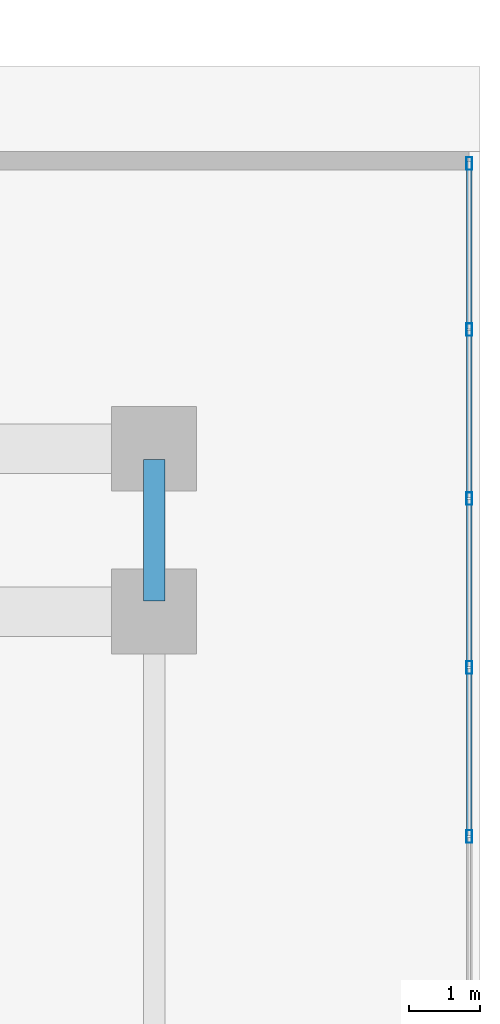
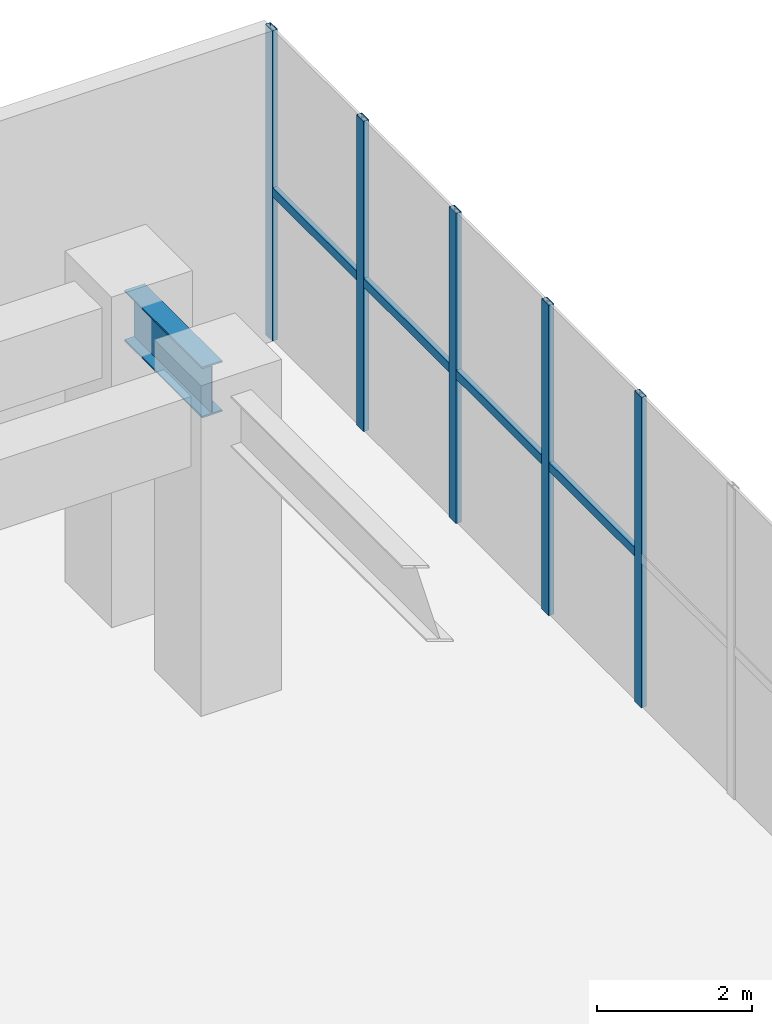
# One storey, part 28 of 40: 9 members, 1 beam, 1 element without a shape of its own.
"""IFC4 building model written with IfcOpenShell, lengths in metres."""

from ifc_helpers import new_model, si_unit, direction, frame, origin, origin_2d, place, context, subcontext, project, spatial, hollow_rectangle, i_section, extrude, source, transform, mapped, material, material_profile, profile_set, type_object, element, aggregate, save


model = new_model("IFC4")

# Units and contexts
model_context = context("Model", 3, precision=1e-05, world=origin(), true_north=direction((0.0, 1.0)))
body_context = subcontext(model_context, "Body", "Model", "MODEL_VIEW")
ifc_project = project(units=[si_unit("LENGTHUNIT", "METRE"), si_unit("AREAUNIT", "SQUARE_METRE"), si_unit("VOLUMEUNIT", "CUBIC_METRE"), si_unit("PLANEANGLEUNIT", "RADIAN"), si_unit("MASSUNIT", "GRAM", prefix="KILO")], contexts=[model_context])

# Site, building, storey
site_placement = place(None, origin())
site = spatial("IfcSite", under=ifc_project, at=site_placement, CompositionType="ELEMENT")
building_placement = place(site_placement, origin())
building = spatial("IfcBuilding", under=site, at=building_placement, Name="Trelvane Seafront Commons", CompositionType="ELEMENT")
storey_placement = place(building_placement, origin())
storey = spatial("IfcBuildingStorey", under=building, at=storey_placement, Name="L00", CompositionType="ELEMENT", Elevation=0.0)

# Beam
ifc_material_1 = material(Name="Steel SM355 (S355)", Category="steel")
ifc_material_profile_1 = material_profile(ifc_material_1, i_section(OverallWidth=0.300048828125, OverallDepth=0.800048828125, WebThickness=0.013916015625, FlangeThickness=0.02587890625, at=origin_2d()), Name="H-800x300x14x26")
ifc_profile_set_1 = profile_set([ifc_material_profile_1], Name="Steel SM355 (S355)")
beam_type = type_object("IfcBeamType", Name="STR-BM-H800", PredefinedType="BEAM", material=ifc_profile_set_1)
shared_shape_1 = source(origin(), body_context, "Body", "SweptSolid", [
    extrude(i_section(OverallWidth=0.300048828125, OverallDepth=0.800048828125, WebThickness=0.013916015625, FlangeThickness=0.02587890625, at=origin_2d()), origin(), (0.0, 0.0, 1.0), 2.0),
])
beam_placement = place(storey_placement, frame((72.0, 45.25, 4.47998046875), z_axis=(0.0, 1.0, 0.0), x_axis=(-1.0, 0.0, 0.0)))
element("IfcBeam", 1, at=beam_placement, inside=storey, type_object=beam_type, Name="L00 Primary Girder G-58", PredefinedType="BEAM", context=body_context, shape_type="MappedRepresentation", body=[
    mapped(shared_shape_1, transform((0.0, 0.0, 0.0), x_axis=(1.0, 0.0, 0.0), y_axis=(0.0, 1.0, 0.0), z_axis=(0.0, 0.0, 1.0), scale=1.0)),
])

# Curtain wall, members
ifc_material_2 = material(Name="Anodised pale-silver aluminium", Category="aluminium")
curtain_wall_type = type_object("IfcCurtainWallType", Name="ARCH-CW4-SKYLOBBY", PredefinedType="NOTDEFINED", material=ifc_material_2)
curtain_wall_placement = place(storey_placement, origin())
curtain_wall = element("IfcCurtainWall", 2, at=curtain_wall_placement, inside=storey, type_object=curtain_wall_type, Name="CW-L00-0005", PredefinedType="NOTDEFINED")
ifc_material_profile_2 = material_profile(ifc_material_2, hollow_rectangle(XDim=0.080078125, YDim=0.179931640625, WallThickness=0.00439453125, at=origin_2d()), Name="MULL-80x180x4.5")
ifc_profile_set_2 = profile_set([ifc_material_profile_2], Name="Anodised pale-silver aluminium")
member_type_1 = type_object("IfcMemberType", Name="ARCH-CW-MULL-180", PredefinedType="MULLION", material=ifc_profile_set_2)
shared_shape_2 = source(origin(), body_context, "Body", "SweptSolid", [
    extrude(hollow_rectangle(XDim=0.080078125, YDim=0.179931640625, WallThickness=0.00439453125, at=origin_2d()), origin(), (0.0, 0.0, 1.0), 4.8798828125),
])
member_1_placement = place(storey_placement, frame((76.449951171875, 51.429931640625, 0.0), z_axis=(0.0, 0.0, 1.0), x_axis=(1.0, 0.0, 0.0)))
member_1 = element("IfcMember", 3, at=member_1_placement, type_object=member_type_1, Name="CW-L00-0005-M00", PredefinedType="MULLION", context=body_context, shape_type="MappedRepresentation", body=[
    mapped(shared_shape_2, transform((0.0, 0.0, 0.0), x_axis=(1.0, 0.0, 0.0), y_axis=(0.0, 1.0, 0.0), z_axis=(0.0, 0.0, 1.0), scale=1.0)),
])
member_2_placement = place(storey_placement, frame((76.449951171875, 49.0830078125, 0.0), z_axis=(0.0, 0.0, 1.0), x_axis=(1.0, 0.0, 0.0)))
member_2 = element("IfcMember", 4, at=member_2_placement, type_object=member_type_1, Name="CW-L00-0005-M01", PredefinedType="MULLION", context=body_context, shape_type="MappedRepresentation", body=[
    mapped(shared_shape_2, transform((0.0, 0.0, 0.0), x_axis=(1.0, 0.0, 0.0), y_axis=(0.0, 1.0, 0.0), z_axis=(0.0, 0.0, 1.0), scale=1.0)),
])
member_3_placement = place(storey_placement, frame((76.449951171875, 46.696044921875, 0.0), z_axis=(0.0, 0.0, 1.0), x_axis=(1.0, 0.0, 0.0)))
member_3 = element("IfcMember", 5, at=member_3_placement, type_object=member_type_1, Name="CW-L00-0005-M02", PredefinedType="MULLION", context=body_context, shape_type="MappedRepresentation", body=[
    mapped(shared_shape_2, transform((0.0, 0.0, 0.0), x_axis=(1.0, 0.0, 0.0), y_axis=(0.0, 1.0, 0.0), z_axis=(0.0, 0.0, 1.0), scale=1.0)),
])
member_4_placement = place(storey_placement, frame((76.449951171875, 44.30908203125, 0.0), z_axis=(0.0, 0.0, 1.0), x_axis=(1.0, 0.0, 0.0)))
member_4 = element("IfcMember", 6, at=member_4_placement, type_object=member_type_1, Name="CW-L00-0005-M03", PredefinedType="MULLION", context=body_context, shape_type="MappedRepresentation", body=[
    mapped(shared_shape_2, transform((0.0, 0.0, 0.0), x_axis=(1.0, 0.0, 0.0), y_axis=(0.0, 1.0, 0.0), z_axis=(0.0, 0.0, 1.0), scale=1.0)),
])
member_5_placement = place(storey_placement, frame((76.449951171875, 41.922119140625, 0.0), z_axis=(0.0, 0.0, 1.0), x_axis=(1.0, 0.0, 0.0)))
member_5 = element("IfcMember", 7, at=member_5_placement, type_object=member_type_1, Name="CW-L00-0005-M04", PredefinedType="MULLION", context=body_context, shape_type="MappedRepresentation", body=[
    mapped(shared_shape_2, transform((0.0, 0.0, 0.0), x_axis=(1.0, 0.0, 0.0), y_axis=(0.0, 1.0, 0.0), z_axis=(0.0, 0.0, 1.0), scale=1.0)),
])
ifc_material_profile_3 = material_profile(ifc_material_2, hollow_rectangle(XDim=0.074951171875, YDim=0.139892578125, WallThickness=0.00390625, at=origin_2d()), Name="TRAN-75x140x4")
ifc_profile_set_3 = profile_set([ifc_material_profile_3], Name="Anodised pale-silver aluminium")
member_type_2 = type_object("IfcMemberType", Name="ARCH-CW-TRAN-140", PredefinedType="USERDEFINED", material=ifc_profile_set_3)
shared_shape_3 = source(origin(), body_context, "Body", "SweptSolid", [
    extrude(hollow_rectangle(XDim=0.074951171875, YDim=0.139892578125, WallThickness=0.00390625, at=origin_2d()), origin(), (0.0, 0.0, 1.0), 2.363037109375),
])
member_6_placement = place(storey_placement, frame((76.449951171875, 51.4580078125, 2.342041015625), z_axis=(0.0, -1.0, 0.0), x_axis=(1.0, 0.0, 0.0)))
member_6 = element("IfcMember", 8, at=member_6_placement, type_object=member_type_2, Name="CW-L00-0005-T00", ObjectType="TRANSOM", PredefinedType="USERDEFINED", context=body_context, shape_type="MappedRepresentation", body=[
    mapped(shared_shape_3, transform((0.0, 0.0, 0.0), x_axis=(1.0, 0.0, 0.0), y_axis=(0.0, 1.0, 0.0), z_axis=(0.0, 0.0, 1.0), scale=1.0)),
])
member_7_placement = place(storey_placement, frame((76.449951171875, 49.071044921875, 2.342041015625), z_axis=(0.0, -1.0, 0.0), x_axis=(1.0, 0.0, 0.0)))
member_7 = element("IfcMember", 9, at=member_7_placement, type_object=member_type_2, Name="CW-L00-0005-T01", ObjectType="TRANSOM", PredefinedType="USERDEFINED", context=body_context, shape_type="MappedRepresentation", body=[
    mapped(shared_shape_3, transform((0.0, 0.0, 0.0), x_axis=(1.0, 0.0, 0.0), y_axis=(0.0, 1.0, 0.0), z_axis=(0.0, 0.0, 1.0), scale=1.0)),
])
member_8_placement = place(storey_placement, frame((76.449951171875, 46.68408203125, 2.342041015625), z_axis=(0.0, -1.0, 0.0), x_axis=(1.0, 0.0, 0.0)))
member_8 = element("IfcMember", 10, at=member_8_placement, type_object=member_type_2, Name="CW-L00-0005-T02", ObjectType="TRANSOM", PredefinedType="USERDEFINED", context=body_context, shape_type="MappedRepresentation", body=[
    mapped(shared_shape_3, transform((0.0, 0.0, 0.0), x_axis=(1.0, 0.0, 0.0), y_axis=(0.0, 1.0, 0.0), z_axis=(0.0, 0.0, 1.0), scale=1.0)),
])
member_9_placement = place(storey_placement, frame((76.449951171875, 44.297119140625, 2.342041015625), z_axis=(0.0, -1.0, 0.0), x_axis=(1.0, 0.0, 0.0)))
member_9 = element("IfcMember", 11, at=member_9_placement, type_object=member_type_2, Name="CW-L00-0005-T03", ObjectType="TRANSOM", PredefinedType="USERDEFINED", context=body_context, shape_type="MappedRepresentation", body=[
    mapped(shared_shape_3, transform((0.0, 0.0, 0.0), x_axis=(1.0, 0.0, 0.0), y_axis=(0.0, 1.0, 0.0), z_axis=(0.0, 0.0, 1.0), scale=1.0)),
])
aggregate(curtain_wall, [member_1, member_2, member_3, member_4, member_5, member_6, member_7, member_8, member_9])

save(model, "model.ifc")
